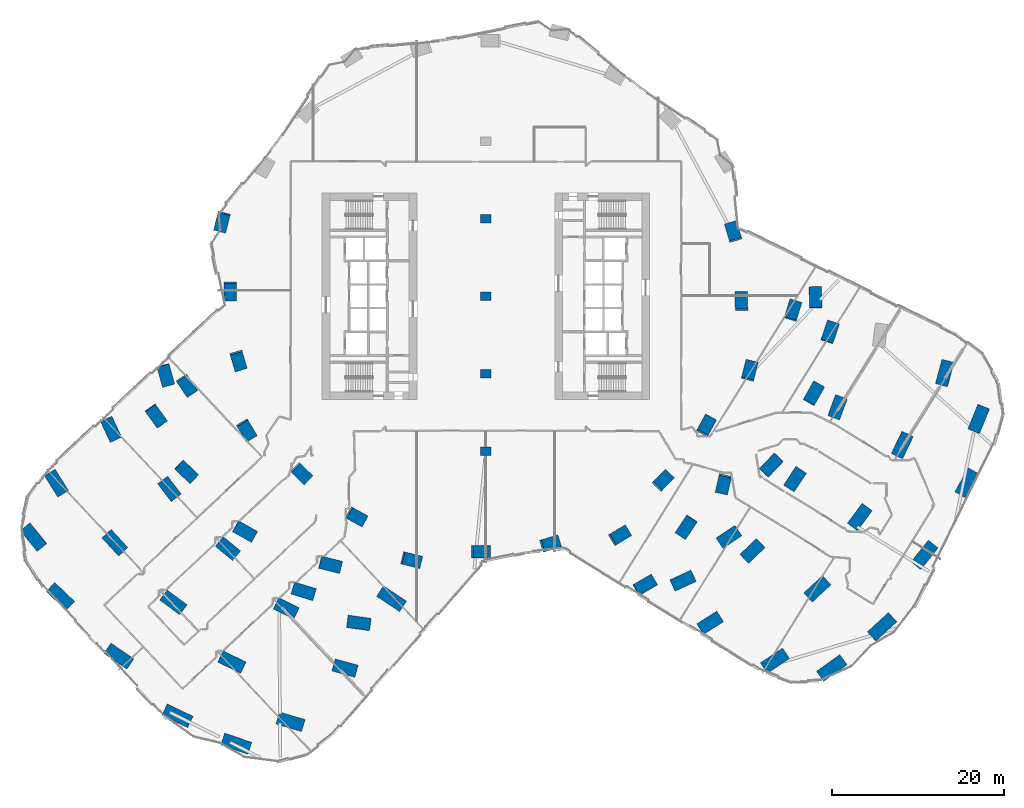
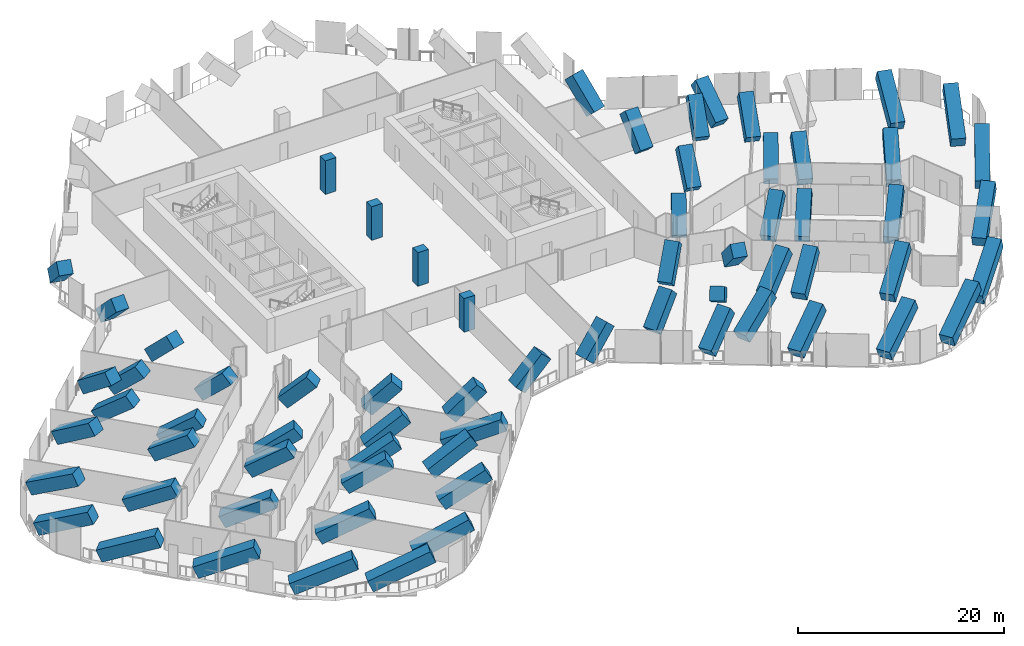
# One storey, part 1 of 31: 67 columns.
"""IFC4 building model written with IfcOpenShell, lengths in metres."""

from ifc_helpers import new_model, si_unit, direction, frame, origin, origin_2d, place, context, subcontext, project, spatial, rectangle, extrude, material, material_profile, profile_set, type_object, element, save


model = new_model("IFC4")

# Units and contexts
model_context = context("Model", 3, precision=1e-05, world=origin(), true_north=direction((0.0, 1.0)))
body_context = subcontext(model_context, "Body", "Model", "MODEL_VIEW")
ifc_project = project(units=[si_unit("LENGTHUNIT", "METRE"), si_unit("AREAUNIT", "SQUARE_METRE"), si_unit("VOLUMEUNIT", "CUBIC_METRE"), si_unit("PLANEANGLEUNIT", "RADIAN"), si_unit("MASSUNIT", "GRAM", prefix="KILO")], contexts=[model_context])

# Site, building, storey
site_placement = place(None, origin())
site = spatial("IfcSite", under=ifc_project, at=site_placement, CompositionType="ELEMENT")
building_placement = place(site_placement, origin())
building = spatial("IfcBuilding", under=site, at=building_placement, Name="Orlundy Tower", CompositionType="ELEMENT")
storey_placement = place(building_placement, frame((0.0, 0.0, 54.800048828125)))
storey = spatial("IfcBuildingStorey", under=building, at=storey_placement, Name="L12", CompositionType="ELEMENT", Elevation=54.800048828125)

# Columns
ifc_material_1 = material(Name="Concrete C80/95", Category="concrete")
ifc_material_profile_1 = material_profile(ifc_material_1, rectangle(XDim=1.199951171875, YDim=1.0, at=origin_2d()), Name="RC1200X1000")
ifc_profile_set_1 = profile_set([ifc_material_profile_1], Name="Concrete C80/95")
column_type_1 = type_object("IfcColumnType", Name="RC COLUMN RC1200X1000 C80/95", PredefinedType="COLUMN", material=ifc_profile_set_1)
for number, where, z_axis, x_axis, name in (
    (1, (0.0, -18.0, 0.0), (0.0, 0.0, 1.0), (1.0, 0.0, 0.0), "Column C-M1 L12"),
    (2, (0.0, -9.0, 0.0), (0.0, 0.0, 1.0), (1.0, 0.0, 0.0), "Column C-M2 L12"),
    (3, (0.0, 0.0, 0.0), (0.0, 0.0, 1.0), (1.0, 0.0, 0.0), "Column C-M3 L12"),
    (4, (0.0, 9.0, 0.0), (0.0, 0.0, 1.0), (1.0, 0.0, 0.0), "Column C-M4 L12"),
):
    element("IfcColumn", number, at=place(storey_placement, frame(where, z_axis=z_axis, x_axis=x_axis)), inside=storey, type_object=column_type_1, Name=name, PredefinedType="COLUMN", context=body_context, shape_type="SweptSolid", body=[
        extrude(rectangle(XDim=1.199951171875, YDim=1.0, at=origin_2d()), origin(), (0.0, 0.0, 1.0), 4.0),
    ])
ifc_material_2 = material(Name="Concrete C80/95", Category="concrete")
ifc_material_profile_2 = material_profile(ifc_material_2, rectangle(XDim=1.449951171875, YDim=1.449951171875, at=origin_2d()), Name="RC1450X1450")
ifc_profile_set_2 = profile_set([ifc_material_profile_2], Name="Concrete C80/95")
column_type_2 = type_object("IfcColumnType", Name="RC COLUMN RC1450X1450 C80/95", PredefinedType="COLUMN", material=ifc_profile_set_2)
column_1_placement = place(storey_placement, frame((17.803955078125, -33.887939453125, 0.579833984375), z_axis=(0.688751767503, 0.406574569475, 0.600265043309), x_axis=(-0.508344567939, 0.861153761094, 0.0)))
element("IfcColumn", 5, at=column_1_placement, inside=storey, type_object=column_type_2, Name="Column C-A1-1 L12 strut", PredefinedType="COLUMN", context=body_context, shape_type="SweptSolid", body=[
    extrude(rectangle(XDim=1.449951171875, YDim=1.449951171875, at=origin_2d()), origin(), (0.0, 0.0, 1.0), 4.731689453125),
])
column_2_placement = place(storey_placement, frame((25.138916015625, -38.44091796875, 0.6259765625), z_axis=(0.728944787886, 0.462994187954, 0.504257749702), x_axis=(-0.536150164507, 0.844122622075, 0.0)))
element("IfcColumn", 6, at=column_2_placement, inside=storey, type_object=column_type_2, Name="Column C-A1-2 L12 strut", PredefinedType="COLUMN", context=body_context, shape_type="SweptSolid", body=[
    extrude(rectangle(XDim=1.449951171875, YDim=1.449951171875, at=origin_2d()), origin(), (0.0, 0.0, 1.0), 5.44921875),
])
column_3_placement = place(storey_placement, frame((32.47509765625, -42.991943359375, 0.654052734375), z_axis=(0.750792181677, 0.500045363689, 0.431585141294), x_axis=(-0.55432964242, 0.832297211058, 0.0)))
element("IfcColumn", 7, at=column_3_placement, inside=storey, type_object=column_type_2, Name="Column C-A1-3 L12 strut", PredefinedType="COLUMN", context=body_context, shape_type="SweptSolid", body=[
    extrude(rectangle(XDim=1.449951171875, YDim=1.449951171875, at=origin_2d()), origin(), (0.0, 0.0, 1.0), 6.2373046875),
])
column_4_placement = place(storey_placement, frame((38.968017578125, -43.958984375, 0.666259765625), z_axis=(0.746649911679, 0.535585988781, 0.394539678628), x_axis=(-0.58286895682, 0.812566169106, 0.0)))
element("IfcColumn", 8, at=column_4_placement, inside=storey, type_object=column_type_2, Name="Column C-A1-5 L12 strut", PredefinedType="COLUMN", context=body_context, shape_type="SweptSolid", body=[
    extrude(rectangle(XDim=1.449951171875, YDim=1.449951171875, at=origin_2d()), origin(), (0.0, 0.0, 1.0), 6.760986328125),
])
column_5_placement = place(storey_placement, frame((21.97705078125, -33.409912109375, 0.617919921875), z_axis=(0.773592017011, 0.357927187713, 0.522918272306), x_axis=(-0.419913655206, 0.907564059542, 0.0)))
element("IfcColumn", 9, at=column_5_placement, inside=storey, type_object=column_type_2, Name="Column C-A1-6 L12 strut", PredefinedType="COLUMN", context=body_context, shape_type="SweptSolid", body=[
    extrude(rectangle(XDim=1.449951171875, YDim=1.449951171875, at=origin_2d()), origin(), (0.0, 0.0, 1.0), 5.28564453125),
])
column_6_placement = place(storey_placement, frame((30.2548828125, -30.199951171875, 0.60986328125), z_axis=(0.608996447685, 0.580618057931, 0.540375792862), x_axis=(-0.690042356189, 0.723768987084, 0.0)))
element("IfcColumn", 10, at=column_6_placement, inside=storey, type_object=column_type_2, Name="Column C-A2-2 L12 strut", PredefinedType="COLUMN", context=body_context, shape_type="SweptSolid", body=[
    extrude(rectangle(XDim=1.449951171875, YDim=1.449951171875, at=origin_2d()), origin(), (0.0, 0.0, 1.0), 5.14453125),
])
column_7_placement = place(storey_placement, frame((37.590087890625, -34.75390625, 0.644287109375), z_axis=(0.650011603321, 0.606231859074, 0.45822248809), x_axis=(-0.682050250906, 0.731305309183, 0.0)))
element("IfcColumn", 11, at=column_7_placement, inside=storey, type_object=column_type_2, Name="Column C-A2-3 L12 strut", PredefinedType="COLUMN", context=body_context, shape_type="SweptSolid", body=[
    extrude(rectangle(XDim=1.449951171875, YDim=1.449951171875, at=origin_2d()), origin(), (0.0, 0.0, 1.0), 5.916748046875),
])
column_8_placement = place(storey_placement, frame((44.924072265625, -39.30810546875, 0.665771484375), z_axis=(0.676410943669, 0.621108726451, 0.395843637324), x_axis=(-0.676354787689, 0.736575998231, 0.0)))
element("IfcColumn", 12, at=column_8_placement, inside=storey, type_object=column_type_2, Name="Column C-A2-5 L12 strut", PredefinedType="COLUMN", context=body_context, shape_type="SweptSolid", body=[
    extrude(rectangle(XDim=1.449951171875, YDim=1.449951171875, at=origin_2d()), origin(), (0.0, 0.0, 1.0), 6.7412109375),
])
column_9_placement = place(storey_placement, frame((27.423095703125, -28.44189453125, 0.60888671875), z_axis=(0.69676588464, 0.469082356893, 0.542659234192), x_axis=(-0.558462658867, 0.829529661104, 0.0)))
element("IfcColumn", 13, at=column_9_placement, inside=storey, type_object=column_type_2, Name="Column C-A2-6 L12 strut", PredefinedType="COLUMN", context=body_context, shape_type="SweptSolid", body=[
    extrude(rectangle(XDim=1.449951171875, YDim=1.449951171875, at=origin_2d()), origin(), (0.0, 0.0, 1.0), 5.12646484375),
])
column_10_placement = place(storey_placement, frame((23.68505859375, -26.1220703125, 0.582275390625), z_axis=(-0.442655647447, -0.670317380621, 0.59559263513), x_axis=(0.834468487345, -0.551055662913, 0.0)))
element("IfcColumn", 14, at=column_10_placement, inside=storey, type_object=column_type_2, Name="Column C-A2-7 L12 strut", PredefinedType="COLUMN", context=body_context, shape_type="SweptSolid", body=[
    extrude(rectangle(XDim=1.449951171875, YDim=1.449951171875, at=origin_2d()), origin(), (0.0, 0.0, 1.0), 4.76025390625),
])
column_11_placement = place(storey_placement, frame((35.37109375, -21.9599609375, 0.600830078125), z_axis=(0.458815633404, 0.690322287577, 0.559413401536), x_axis=(-0.832828584318, 0.553530983002, 0.0)))
element("IfcColumn", 15, at=column_11_placement, inside=storey, type_object=column_type_2, Name="Column C-A3-2 L12 strut", PredefinedType="COLUMN", context=body_context, shape_type="SweptSolid", body=[
    extrude(rectangle(XDim=1.449951171875, YDim=1.449951171875, at=origin_2d()), origin(), (0.0, 0.0, 1.0), 5.001953125),
])
column_12_placement = place(storey_placement, frame((42.7060546875, -26.512939453125, 0.637939453125), z_axis=(0.52437230605, 0.706642348451, 0.475068706635), x_axis=(-0.803049477983, 0.595912355898, 0.0)))
element("IfcColumn", 16, at=column_12_placement, inside=storey, type_object=column_type_2, Name="Column C-A3-3 L12 strut", PredefinedType="COLUMN", context=body_context, shape_type="SweptSolid", body=[
    extrude(rectangle(XDim=1.449951171875, YDim=1.449951171875, at=origin_2d()), origin(), (0.0, 0.0, 1.0), 5.734130859375),
])
column_13_placement = place(storey_placement, frame((50.041015625, -31.06689453125, 0.6611328125), z_axis=(0.569633877133, 0.712332079471, 0.410000310463), x_axis=(-0.780992758951, 0.624540079151, 0.0)))
element("IfcColumn", 17, at=column_13_placement, inside=storey, type_object=column_type_2, Name="Column C-A3-5 L12 strut", PredefinedType="COLUMN", context=body_context, shape_type="SweptSolid", body=[
    extrude(rectangle(XDim=1.449951171875, YDim=1.449951171875, at=origin_2d()), origin(), (0.0, 0.0, 1.0), 6.530517578125),
])
column_14_placement = place(storey_placement, frame((32.5390625, -20.200927734375, 0.5908203125), z_axis=(0.561988017013, 0.590152683579, 0.579559555869), x_axis=(-0.724176021498, 0.689615175215, 0.0)))
element("IfcColumn", 18, at=column_14_placement, inside=storey, type_object=column_type_2, Name="Column C-A3-6 L12 strut", PredefinedType="COLUMN", context=body_context, shape_type="SweptSolid", body=[
    extrude(rectangle(XDim=1.449951171875, YDim=1.449951171875, at=origin_2d()), origin(), (0.0, 0.0, 1.0), 4.863037109375),
])
column_15_placement = place(storey_placement, frame((27.68798828125, -21.24609375, 0.5068359375), z_axis=(-0.153705743536, -0.682208039655, 0.714819372314), x_axis=(0.975545729975, -0.219796562138, 0.0)))
element("IfcColumn", 19, at=column_15_placement, inside=storey, type_object=column_type_2, Name="Column C-A3-7 L12 strut", PredefinedType="COLUMN", context=body_context, shape_type="SweptSolid", body=[
    extrude(rectangle(XDim=1.449951171875, YDim=1.449951171875, at=origin_2d()), origin(), (0.0, 0.0, 1.0), 4.177490234375),
])
column_16_placement = place(storey_placement, frame((40.487060546875, -13.718994140625, 0.6025390625), z_axis=(0.289589157481, 0.779229845617, 0.55582278432), x_axis=(-0.937362069968, 0.348356641656, 0.0)))
element("IfcColumn", 20, at=column_16_placement, inside=storey, type_object=column_type_2, Name="Column C-A4-2 L12 strut", PredefinedType="COLUMN", context=body_context, shape_type="SweptSolid", body=[
    extrude(rectangle(XDim=1.449951171875, YDim=1.449951171875, at=origin_2d()), origin(), (0.0, 0.0, 1.0), 5.028076171875),
])
column_17_placement = place(storey_placement, frame((47.822021484375, -18.27197265625, 0.63671875), z_axis=(0.380217041429, 0.791847782589, 0.47792477506), x_axis=(-0.901465266599, 0.432851444626, 0.0)))
element("IfcColumn", 21, at=column_17_placement, inside=storey, type_object=column_type_2, Name="Column C-A4-3 L12 strut", PredefinedType="COLUMN", context=body_context, shape_type="SweptSolid", body=[
    extrude(rectangle(XDim=1.449951171875, YDim=1.449951171875, at=origin_2d()), origin(), (0.0, 0.0, 1.0), 5.70458984375),
])
column_18_placement = place(storey_placement, frame((55.156982421875, -22.825927734375, 0.659423828125), z_axis=(0.446435836875, 0.792617425249, 0.415274199469), x_axis=(-0.87129895366, 0.490752619302, 0.0)))
element("IfcColumn", 22, at=column_18_placement, inside=storey, type_object=column_type_2, Name="Column C-A4-5 L12 strut", PredefinedType="COLUMN", context=body_context, shape_type="SweptSolid", body=[
    extrude(rectangle(XDim=1.449951171875, YDim=1.449951171875, at=origin_2d()), origin(), (0.0, 0.0, 1.0), 6.455810546875),
])
column_19_placement = place(storey_placement, frame((37.655029296875, -11.9599609375, 0.5830078125), z_axis=(0.397363899907, 0.699303127123, 0.594202884079), x_axis=(-0.86943915975, 0.494040026206, 0.0)))
element("IfcColumn", 23, at=column_19_placement, inside=storey, type_object=column_type_2, Name="Column C-A4-6 L12 strut", PredefinedType="COLUMN", context=body_context, shape_type="SweptSolid", body=[
    extrude(rectangle(XDim=1.449951171875, YDim=1.449951171875, at=origin_2d()), origin(), (0.0, 0.0, 1.0), 4.76904296875),
])
column_20_placement = place(storey_placement, frame((38.26904296875, -0.924072265625, 0.579833984375), z_axis=(-0.020278232031, 0.799519606433, 0.600297586398), x_axis=(-0.999678513697, -0.025354866465, 0.0)))
element("IfcColumn", 24, at=column_20_placement, inside=storey, type_object=column_type_2, Name="Column C-A5-1 L12 strut", PredefinedType="COLUMN", context=body_context, shape_type="SweptSolid", body=[
    extrude(rectangle(XDim=1.449951171875, YDim=1.449951171875, at=origin_2d()), origin(), (0.0, 0.0, 1.0), 4.7314453125),
])
column_21_placement = place(storey_placement, frame((52.93603515625, -10.034912109375, 0.641357421875), z_axis=(0.228549066169, 0.854840481556, 0.465846622233), x_axis=(-0.966068286235, 0.258286790855, 0.0)))
element("IfcColumn", 25, at=column_21_placement, inside=storey, type_object=column_type_2, Name="Column C-A5-3 L12 strut", PredefinedType="COLUMN", context=body_context, shape_type="SweptSolid", body=[
    extrude(rectangle(XDim=1.449951171875, YDim=1.449951171875, at=origin_2d()), origin(), (0.0, 0.0, 1.0), 5.83251953125),
])
column_22_placement = place(storey_placement, frame((56.68408203125, -15.425048828125, 0.654541015625), z_axis=(0.342224171431, 0.835577531477, 0.42975900849), x_axis=(-0.925392799658, 0.379009454158, 0.0)))
element("IfcColumn", 26, at=column_22_placement, inside=storey, type_object=column_type_2, Name="Column C-A5-5 L12 strut", PredefinedType="COLUMN", context=body_context, shape_type="SweptSolid", body=[
    extrude(rectangle(XDim=1.449951171875, YDim=1.449951171875, at=origin_2d()), origin(), (0.0, 0.0, 1.0), 6.261474609375),
])
column_23_placement = place(storey_placement, frame((39.69189453125, -4.8759765625, 0.573974609375), z_axis=(0.253806770761, 0.75002149151, 0.610778098322), x_axis=(-0.947233862159, 0.320543305, 0.0)))
element("IfcColumn", 27, at=column_23_placement, inside=storey, type_object=column_type_2, Name="Column C-A5-6 L12 strut", PredefinedType="COLUMN", context=body_context, shape_type="SweptSolid", body=[
    extrude(rectangle(XDim=1.449951171875, YDim=1.449951171875, at=origin_2d()), origin(), (0.0, 0.0, 1.0), 4.669189453125),
])
column_24_placement = place(storey_placement, frame((35.444091796875, -2.238037109375, 0.53564453125), z_axis=(0.217391389065, 0.706156886805, 0.673857132616), x_axis=(-0.955736259088, 0.294224749238, 0.0)))
element("IfcColumn", 28, at=column_24_placement, inside=storey, type_object=column_type_2, Name="Column C-A5-7 L12 strut", PredefinedType="COLUMN", context=body_context, shape_type="SweptSolid", body=[
    extrude(rectangle(XDim=1.449951171875, YDim=1.449951171875, at=origin_2d()), origin(), (0.0, 0.0, 1.0), 4.34619140625),
])
column_25_placement = place(storey_placement, frame((-37.341064453125, -8.426025390625, 0.579833984375), z_axis=(0.21433166656, -0.77054143197, 0.600273136436), x_axis=(0.963423577175, 0.267983228846, 0.0)))
element("IfcColumn", 29, at=column_25_placement, inside=storey, type_object=column_type_2, Name="Column C-B1-1 L12 strut", PredefinedType="COLUMN", context=body_context, shape_type="SweptSolid", body=[
    extrude(rectangle(XDim=1.449951171875, YDim=1.449951171875, at=origin_2d()), origin(), (0.0, 0.0, 1.0), 4.731689453125),
])
column_26_placement = place(storey_placement, frame((-43.881103515625, -14.56103515625, 0.614501953125), z_axis=(0.358536507446, -0.767991932029, 0.530697621219), x_axis=(0.906119707767, 0.423021364941, 0.0)))
element("IfcColumn", 30, at=column_26_placement, inside=storey, type_object=column_type_2, Name="Column C-B1-2 L12 strut", PredefinedType="COLUMN", context=body_context, shape_type="SweptSolid", body=[
    extrude(rectangle(XDim=1.449951171875, YDim=1.449951171875, at=origin_2d()), origin(), (0.0, 0.0, 1.0), 5.221435546875),
])
column_27_placement = place(storey_placement, frame((-50.4208984375, -20.695068359375, 0.641357421875), z_axis=(0.468439802399, -0.750675829904, 0.465886198472), x_axis=(0.848370199322, 0.529403442473, 0.0)))
element("IfcColumn", 31, at=column_27_placement, inside=storey, type_object=column_type_2, Name="Column C-B1-3 L12 strut", PredefinedType="COLUMN", context=body_context, shape_type="SweptSolid", body=[
    extrude(rectangle(XDim=1.449951171875, YDim=1.449951171875, at=origin_2d()), origin(), (0.0, 0.0, 1.0), 5.83203125),
])
column_28_placement = place(storey_placement, frame((-53.27587890625, -26.947021484375, 0.654541015625), z_axis=(0.571623475147, -0.698941208032, 0.429799709603), x_axis=(0.774086203175, 0.633080208231, 0.0)))
element("IfcColumn", 32, at=column_28_placement, inside=storey, type_object=column_type_2, Name="Column C-B1-5 L12 strut", PredefinedType="COLUMN", context=body_context, shape_type="SweptSolid", body=[
    extrude(rectangle(XDim=1.449951171875, YDim=1.449951171875, at=origin_2d()), origin(), (0.0, 0.0, 1.0), 6.260986328125),
])
column_29_placement = place(storey_placement, frame((-38.68896484375, -13.264892578125, 0.573974609375), z_axis=(0.461975351775, -0.643000667887, 0.610842791108), x_axis=(0.812123925457, 0.583484986697, 0.0)))
element("IfcColumn", 33, at=column_29_placement, inside=storey, type_object=column_type_2, Name="Column C-B1-6 L12 strut", PredefinedType="COLUMN", context=body_context, shape_type="SweptSolid", body=[
    extrude(rectangle(XDim=1.449951171875, YDim=1.449951171875, at=origin_2d()), origin(), (0.0, 0.0, 1.0), 4.6689453125),
])
column_30_placement = place(storey_placement, frame((-35.0419921875, -9.843994140625, 0.53564453125), z_axis=(0.414374106339, -0.611759304886, 0.673828355652), x_axis=(0.827946018068, 0.56080780234, 0.0)))
element("IfcColumn", 34, at=column_30_placement, inside=storey, type_object=column_type_2, Name="Column C-B1-7 L12 strut", PredefinedType="COLUMN", context=body_context, shape_type="SweptSolid", body=[
    extrude(rectangle(XDim=1.449951171875, YDim=1.449951171875, at=origin_2d()), origin(), (0.0, 0.0, 1.0), 4.346435546875),
])
column_31_placement = place(storey_placement, frame((-37.2451171875, -21.635009765625, 0.6025390625), z_axis=(0.504783779983, -0.660501515881, 0.55581569156), x_axis=(0.794535193581, 0.607218104276, 0.0)))
element("IfcColumn", 35, at=column_31_placement, inside=storey, type_object=column_type_2, Name="Column C-B2-2 L12 strut", PredefinedType="COLUMN", context=body_context, shape_type="SweptSolid", body=[
    extrude(rectangle(XDim=1.449951171875, YDim=1.449951171875, at=origin_2d()), origin(), (0.0, 0.0, 1.0), 5.028076171875),
])
column_32_placement = place(storey_placement, frame((-43.784912109375, -27.77001953125, 0.636962890625), z_axis=(0.595118593192, -0.646131203798, 0.477858062102), x_axis=(0.735546382891, 0.677474367498, 0.0)))
element("IfcColumn", 36, at=column_32_placement, inside=storey, type_object=column_type_2, Name="Column C-B2-3 L12 strut", PredefinedType="COLUMN", context=body_context, shape_type="SweptSolid", body=[
    extrude(rectangle(XDim=1.449951171875, YDim=1.449951171875, at=origin_2d()), origin(), (0.0, 0.0, 1.0), 5.704833984375),
])
column_33_placement = place(storey_placement, frame((-50.324951171875, -33.904052734375, 0.659423828125), z_axis=(0.658626651578, -0.627502987462, 0.415272121094), x_axis=(0.689793220223, 0.724006431833, 0.0)))
element("IfcColumn", 37, at=column_33_placement, inside=storey, type_object=column_type_2, Name="Column C-B2-5 L12 strut", PredefinedType="COLUMN", context=body_context, shape_type="SweptSolid", body=[
    extrude(rectangle(XDim=1.449951171875, YDim=1.449951171875, at=origin_2d()), origin(), (0.0, 0.0, 1.0), 6.455810546875),
])
column_34_placement = place(storey_placement, frame((-35.300048828125, -19.81103515625, 0.583251953125), z_axis=(0.584399803244, -0.552712392749, 0.594126148953), x_axis=(0.687135400222, 0.726529381211, 0.0)))
element("IfcColumn", 38, at=column_34_placement, inside=storey, type_object=column_type_2, Name="Column C-B2-6 L12 strut", PredefinedType="COLUMN", context=body_context, shape_type="SweptSolid", body=[
    extrude(rectangle(XDim=1.449951171875, YDim=1.449951171875, at=origin_2d()), origin(), (0.0, 0.0, 1.0), 4.769287109375),
])
column_35_placement = place(storey_placement, frame((-30.60888671875, -28.7099609375, 0.600830078125), z_axis=(0.640539472129, -0.526030167731, 0.559465322681), x_axis=(0.634647743871, 0.77280155357, 0.0)))
element("IfcColumn", 39, at=column_35_placement, inside=storey, type_object=column_type_2, Name="Column C-B3-2 L12 strut", PredefinedType="COLUMN", context=body_context, shape_type="SweptSolid", body=[
    extrude(rectangle(XDim=1.449951171875, YDim=1.449951171875, at=origin_2d()), origin(), (0.0, 0.0, 1.0), 5.001708984375),
])
column_36_placement = place(storey_placement, frame((-37.14892578125, -34.844970703125, 0.637939453125), z_axis=(0.708122903714, -0.522429017336, 0.475005131636), x_axis=(0.593680789608, 0.804700640021, 0.0)))
element("IfcColumn", 40, at=column_36_placement, inside=storey, type_object=column_type_2, Name="Column C-B3-3 L12 strut", PredefinedType="COLUMN", context=body_context, shape_type="SweptSolid", body=[
    extrude(rectangle(XDim=1.449951171875, YDim=1.449951171875, at=origin_2d()), origin(), (0.0, 0.0, 1.0), 5.73486328125),
])
column_37_placement = place(storey_placement, frame((-43.68896484375, -40.97900390625, 0.6611328125), z_axis=(0.753034303778, -0.514645713866, 0.409974543762), x_axis=(0.564244519655, 0.825607728912, 0.0)))
element("IfcColumn", 41, at=column_37_placement, inside=storey, type_object=column_type_2, Name="Column C-B3-5 L12 strut", PredefinedType="COLUMN", context=body_context, shape_type="SweptSolid", body=[
    extrude(rectangle(XDim=1.449951171875, YDim=1.449951171875, at=origin_2d()), origin(), (0.0, 0.0, 1.0), 6.53076171875),
])
column_38_placement = place(storey_placement, frame((-28.6640625, -26.885986328125, 0.5908203125), z_axis=(0.710018665714, -0.400138488717, 0.579450329351), x_axis=(0.490962919212, 0.871180470373, 0.0)))
element("IfcColumn", 42, at=column_38_placement, inside=storey, type_object=column_type_2, Name="Column C-B3-6 L12 strut", PredefinedType="COLUMN", context=body_context, shape_type="SweptSolid", body=[
    extrude(rectangle(XDim=1.449951171875, YDim=1.449951171875, at=origin_2d()), origin(), (0.0, 0.0, 1.0), 4.863525390625),
])
column_39_placement = place(storey_placement, frame((-23.972900390625, -35.784912109375, 0.610107421875), z_axis=(0.752105083645, -0.377452270544, 0.540247838141), x_axis=(0.448543789872, 0.893760856475, 0.0)))
element("IfcColumn", 43, at=column_39_placement, inside=storey, type_object=column_type_2, Name="Column C-B4-2 L12 strut", PredefinedType="COLUMN", context=body_context, shape_type="SweptSolid", body=[
    extrude(rectangle(XDim=1.449951171875, YDim=1.449951171875, at=origin_2d()), origin(), (0.0, 0.0, 1.0), 5.1455078125),
])
column_40_placement = place(storey_placement, frame((-30.512939453125, -41.919921875, 0.644287109375), z_axis=(0.798859330442, -0.389733768999, 0.458182670414), x_axis=(0.438465700067, 0.898747923427, 0.0)))
element("IfcColumn", 44, at=column_40_placement, inside=storey, type_object=column_type_2, Name="Column C-B4-3 L12 strut", PredefinedType="COLUMN", context=body_context, shape_type="SweptSolid", body=[
    extrude(rectangle(XDim=1.449951171875, YDim=1.449951171875, at=origin_2d()), origin(), (0.0, 0.0, 1.0), 5.917236328125),
])
column_41_placement = place(storey_placement, frame((-37.052978515625, -48.053955078125, 0.665771484375), z_axis=(0.828402754462, -0.396272933568, 0.395874523709), x_axis=(0.43152667224, 0.902100177999, 0.0)))
element("IfcColumn", 45, at=column_41_placement, inside=storey, type_object=column_type_2, Name="Column C-B4-5 L12 strut", PredefinedType="COLUMN", context=body_context, shape_type="SweptSolid", body=[
    extrude(rectangle(XDim=1.449951171875, YDim=1.449951171875, at=origin_2d()), origin(), (0.0, 0.0, 1.0), 6.74072265625),
])
column_42_placement = place(storey_placement, frame((-22.028076171875, -33.9609375, 0.60888671875), z_axis=(0.803445484043, -0.245005157385, 0.542630470049), x_axis=(0.291682692006, 0.956515136934, 0.0)))
element("IfcColumn", 46, at=column_42_placement, inside=storey, type_object=column_type_2, Name="Column C-B4-6 L12 strut", PredefinedType="COLUMN", context=body_context, shape_type="SweptSolid", body=[
    extrude(rectangle(XDim=1.449951171875, YDim=1.449951171875, at=origin_2d()), origin(), (0.0, 0.0, 1.0), 5.126953125),
])
column_43_placement = place(storey_placement, frame((-18.819091796875, -30.950927734375, 0.58837890625), z_axis=(0.787390274069, -0.197377882685, 0.584002164147), x_axis=(0.243150442879, 0.969988588659, 0.0)))
element("IfcColumn", 47, at=column_43_placement, inside=storey, type_object=column_type_2, Name="Column C-B4-7 L12 strut", PredefinedType="COLUMN", context=body_context, shape_type="SweptSolid", body=[
    extrude(rectangle(XDim=1.449951171875, YDim=1.449951171875, at=origin_2d()), origin(), (0.0, 0.0, 1.0), 4.833984375),
])
column_44_placement = place(storey_placement, frame((-17.3369140625, -42.860107421875, 0.6259765625), z_axis=(0.83241899927, -0.22975642544, 0.504272341719), x_axis=(0.266062002517, 0.963955917465, 0.0)))
element("IfcColumn", 48, at=column_44_placement, inside=storey, type_object=column_type_2, Name="Column C-B5-2 L12 strut", PredefinedType="COLUMN", context=body_context, shape_type="SweptSolid", body=[
    extrude(rectangle(XDim=1.449951171875, YDim=1.449951171875, at=origin_2d()), origin(), (0.0, 0.0, 1.0), 5.448974609375),
])
column_45_placement = place(storey_placement, frame((-23.876953125, -48.993896484375, 0.654052734375), z_axis=(0.864156879043, -0.25877343513, 0.431589153795), x_axis=(0.286866155461, 0.957970672229, 0.0)))
element("IfcColumn", 49, at=column_45_placement, inside=storey, type_object=column_type_2, Name="Column C-B5-3 L12 strut", PredefinedType="COLUMN", context=body_context, shape_type="SweptSolid", body=[
    extrude(rectangle(XDim=1.449951171875, YDim=1.449951171875, at=origin_2d()), origin(), (0.0, 0.0, 1.0), 6.237060546875),
])
column_46_placement = place(storey_placement, frame((-30.299072265625, -51.444091796875, 0.666259765625), z_axis=(0.870574615383, -0.29400715577, 0.394537237035), x_axis=(0.319962531243, 0.947430197218, 0.0)))
element("IfcColumn", 50, at=column_46_placement, inside=storey, type_object=column_type_2, Name="Column C-B5-5 L12 strut", PredefinedType="COLUMN", context=body_context, shape_type="SweptSolid", body=[
    extrude(rectangle(XDim=1.449951171875, YDim=1.449951171875, at=origin_2d()), origin(), (0.0, 0.0, 1.0), 6.760986328125),
])
column_47_placement = place(storey_placement, frame((-15.7119140625, -37.761962890625, 0.617919921875), z_axis=(0.844461322834, -0.116157308408, 0.522869538165), x_axis=(0.136268858518, 0.990671892303, 0.0)))
element("IfcColumn", 51, at=column_47_placement, inside=storey, type_object=column_type_2, Name="Column C-B5-6 L12 strut", PredefinedType="COLUMN", context=body_context, shape_type="SweptSolid", body=[
    extrude(rectangle(XDim=1.449951171875, YDim=1.449951171875, at=origin_2d()), origin(), (0.0, 0.0, 1.0), 5.2861328125),
])
column_48_placement = place(storey_placement, frame((-12.06494140625, -34.341064453125, 0.66064453125), z_axis=(0.7601997226, -0.502647973321, 0.41163259914), x_axis=(0.551542261088, 0.834146950024, 0.0)))
element("IfcColumn", 52, at=column_48_placement, inside=storey, type_object=column_type_2, Name="Column C-B5-7 L12 strut", PredefinedType="COLUMN", context=body_context, shape_type="SweptSolid", body=[
    extrude(rectangle(XDim=1.449951171875, YDim=1.449951171875, at=origin_2d()), origin(), (0.0, 0.0, 1.0), 6.507568359375),
])
column_49_placement = place(storey_placement, frame((28.85595703125, 6.94189453125, 0.508544921875), z_axis=(-0.197598545942, 0.672955189678, 0.712801604464), x_axis=(-0.959492559791, -0.281733966191, 0.0)))
element("IfcColumn", 53, at=column_49_placement, inside=storey, type_object=column_type_2, Name="Column C-H02 L12 strut", PredefinedType="COLUMN", context=body_context, shape_type="SweptSolid", body=[
    extrude(rectangle(XDim=1.449951171875, YDim=1.449951171875, at=origin_2d()), origin(), (0.0, 0.0, 1.0), 4.184814453125),
])
column_50_placement = place(storey_placement, frame((29.656982421875, -1.135986328125, 0.50830078125), z_axis=(-0.007877610375, 0.701048970737, 0.713069620643), x_axis=(-0.999936872126, -0.011236180934, 0.0)))
element("IfcColumn", 54, at=column_50_placement, inside=storey, type_object=column_type_2, Name="Column C-H03 L12 strut", PredefinedType="COLUMN", context=body_context, shape_type="SweptSolid", body=[
    extrude(rectangle(XDim=1.449951171875, YDim=1.449951171875, at=origin_2d()), origin(), (0.0, 0.0, 1.0), 4.183837890625),
])
column_51_placement = place(storey_placement, frame((30.458984375, -9.215087890625, 0.529541015625), z_axis=(0.176721352289, 0.708756376313, 0.682959707948), x_axis=(-0.970292981686, 0.241932903281, 0.0)))
element("IfcColumn", 55, at=column_51_placement, inside=storey, type_object=column_type_2, Name="Column C-H04 L12 strut", PredefinedType="COLUMN", context=body_context, shape_type="SweptSolid", body=[
    extrude(rectangle(XDim=1.449951171875, YDim=1.449951171875, at=origin_2d()), origin(), (0.0, 0.0, 1.0), 4.30615234375),
])
column_52_placement = place(storey_placement, frame((25.31298828125, -15.4951171875, 0.50830078125), z_axis=(0.336025835882, 0.61545416164, 0.71295358372), x_axis=(-0.877701520343, 0.479207722379, 0.0)))
element("IfcColumn", 56, at=column_52_placement, inside=storey, type_object=column_type_2, Name="Column C-H05 L12 strut", PredefinedType="COLUMN", context=body_context, shape_type="SweptSolid", body=[
    extrude(rectangle(XDim=1.449951171875, YDim=1.449951171875, at=origin_2d()), origin(), (0.0, 0.0, 1.0), 4.184326171875),
])
column_53_placement = place(storey_placement, frame((20.1669921875, -21.77392578125, 0.50830078125), z_axis=(0.490424057431, 0.501160289027, 0.712967466716), x_axis=(-0.714720981693, 0.699409692761, 0.0)))
element("IfcColumn", 57, at=column_53_placement, inside=storey, type_object=column_type_2, Name="Column C-H06 L12 strut", PredefinedType="COLUMN", context=body_context, shape_type="SweptSolid", body=[
    extrude(rectangle(XDim=1.449951171875, YDim=1.449951171875, at=origin_2d()), origin(), (0.0, 0.0, 1.0), 4.18408203125),
])
column_54_placement = place(storey_placement, frame((15.02099609375, -28.053955078125, 0.529541015625), z_axis=(0.626275485165, 0.376150796059, 0.682854007315), x_axis=(-0.514883708566, 0.857260034443, 0.0)))
element("IfcColumn", 58, at=column_54_placement, inside=storey, type_object=column_type_2, Name="Column C-H07 L12 strut", PredefinedType="COLUMN", context=body_context, shape_type="SweptSolid", body=[
    extrude(rectangle(XDim=1.449951171875, YDim=1.449951171875, at=origin_2d()), origin(), (0.0, 0.0, 1.0), 4.306396484375),
])
column_55_placement = place(storey_placement, frame((6.94189453125, -28.85595703125, 0.508544921875), z_axis=(0.672955189678, 0.197598545942, 0.712801604464), x_axis=(-0.281733966191, 0.959492559791, 0.0)))
element("IfcColumn", 59, at=column_55_placement, inside=storey, type_object=column_type_2, Name="Column C-H08 L12 strut", PredefinedType="COLUMN", context=body_context, shape_type="SweptSolid", body=[
    extrude(rectangle(XDim=1.449951171875, YDim=1.449951171875, at=origin_2d()), origin(), (0.0, 0.0, 1.0), 4.184814453125),
])
column_56_placement = place(storey_placement, frame((-1.135986328125, -29.656982421875, 0.50830078125), z_axis=(0.701048970737, 0.007877610375, 0.713069620643), x_axis=(-0.011236180934, 0.999936872126, 0.0)))
element("IfcColumn", 60, at=column_56_placement, inside=storey, type_object=column_type_2, Name="Column C-H09 L12 strut", PredefinedType="COLUMN", context=body_context, shape_type="SweptSolid", body=[
    extrude(rectangle(XDim=1.449951171875, YDim=1.449951171875, at=origin_2d()), origin(), (0.0, 0.0, 1.0), 4.183837890625),
])
column_57_placement = place(storey_placement, frame((-9.215087890625, -30.458984375, 0.529541015625), z_axis=(0.708756376313, -0.176721352289, 0.682959707948), x_axis=(0.241932903281, 0.970292981686, 0.0)))
element("IfcColumn", 61, at=column_57_placement, inside=storey, type_object=column_type_2, Name="Column C-H10 L12 strut", PredefinedType="COLUMN", context=body_context, shape_type="SweptSolid", body=[
    extrude(rectangle(XDim=1.449951171875, YDim=1.449951171875, at=origin_2d()), origin(), (0.0, 0.0, 1.0), 4.30615234375),
])
column_58_placement = place(storey_placement, frame((-15.4951171875, -25.31298828125, 0.50830078125), z_axis=(0.61545416164, -0.336025835882, 0.71295358372), x_axis=(0.479207722379, 0.877701520343, 0.0)))
element("IfcColumn", 62, at=column_58_placement, inside=storey, type_object=column_type_2, Name="Column C-H11 L12 strut", PredefinedType="COLUMN", context=body_context, shape_type="SweptSolid", body=[
    extrude(rectangle(XDim=1.449951171875, YDim=1.449951171875, at=origin_2d()), origin(), (0.0, 0.0, 1.0), 4.184326171875),
])
column_59_placement = place(storey_placement, frame((-21.77392578125, -20.1669921875, 0.50830078125), z_axis=(0.501160289027, -0.490424057431, 0.712967466716), x_axis=(0.699409692761, 0.714720981693, 0.0)))
element("IfcColumn", 63, at=column_59_placement, inside=storey, type_object=column_type_2, Name="Column C-H12 L12 strut", PredefinedType="COLUMN", context=body_context, shape_type="SweptSolid", body=[
    extrude(rectangle(XDim=1.449951171875, YDim=1.449951171875, at=origin_2d()), origin(), (0.0, 0.0, 1.0), 4.18408203125),
])
column_60_placement = place(storey_placement, frame((-28.053955078125, -15.02099609375, 0.529541015625), z_axis=(0.376150796059, -0.626275485165, 0.682854007315), x_axis=(0.857260034443, 0.514883708566, 0.0)))
element("IfcColumn", 64, at=column_60_placement, inside=storey, type_object=column_type_2, Name="Column C-H13 L12 strut", PredefinedType="COLUMN", context=body_context, shape_type="SweptSolid", body=[
    extrude(rectangle(XDim=1.449951171875, YDim=1.449951171875, at=origin_2d()), origin(), (0.0, 0.0, 1.0), 4.306396484375),
])
column_61_placement = place(storey_placement, frame((-28.85595703125, -6.94189453125, 0.508544921875), z_axis=(0.197598545942, -0.672955189678, 0.712801604464), x_axis=(0.959492559791, 0.281733966191, 0.0)))
element("IfcColumn", 65, at=column_61_placement, inside=storey, type_object=column_type_2, Name="Column C-H14 L12 strut", PredefinedType="COLUMN", context=body_context, shape_type="SweptSolid", body=[
    extrude(rectangle(XDim=1.449951171875, YDim=1.449951171875, at=origin_2d()), origin(), (0.0, 0.0, 1.0), 4.184814453125),
])
column_62_placement = place(storey_placement, frame((-29.656982421875, 1.135986328125, 0.50830078125), z_axis=(0.007877610375, -0.701048970737, 0.713069620643), x_axis=(0.999936872126, 0.011236180934, 0.0)))
element("IfcColumn", 66, at=column_62_placement, inside=storey, type_object=column_type_2, Name="Column C-H15 L12 strut", PredefinedType="COLUMN", context=body_context, shape_type="SweptSolid", body=[
    extrude(rectangle(XDim=1.449951171875, YDim=1.449951171875, at=origin_2d()), origin(), (0.0, 0.0, 1.0), 4.183837890625),
])
column_63_placement = place(storey_placement, frame((-30.458984375, 9.215087890625, 0.529541015625), z_axis=(-0.176721352289, -0.708756376313, 0.682959707948), x_axis=(0.970292981686, -0.241932903281, 0.0)))
element("IfcColumn", 67, at=column_63_placement, inside=storey, type_object=column_type_2, Name="Column C-H16 L12 strut", PredefinedType="COLUMN", context=body_context, shape_type="SweptSolid", body=[
    extrude(rectangle(XDim=1.449951171875, YDim=1.449951171875, at=origin_2d()), origin(), (0.0, 0.0, 1.0), 4.30615234375),
])

save(model, "model.ifc")
